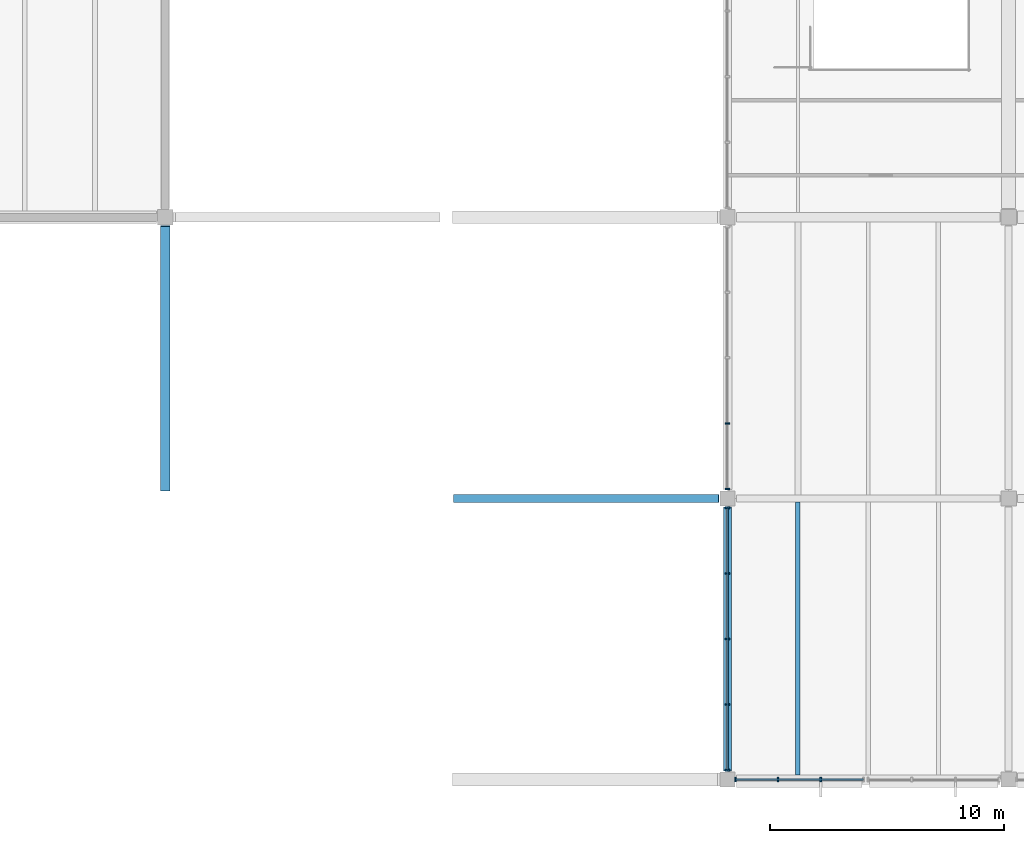
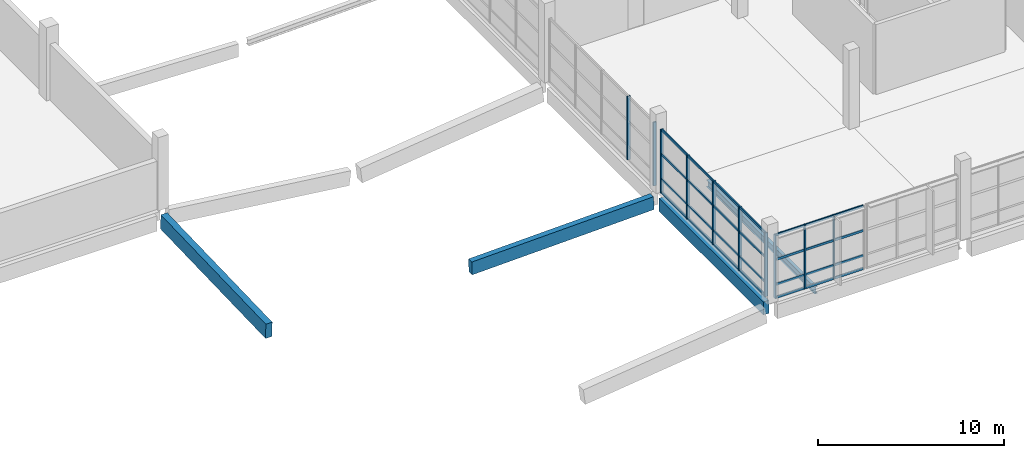
# One storey, part 17 of 112: 18 members, 4 beams, 3 elements without a shape of their own.
"""IFC4 building model written with IfcOpenShell, lengths in metres."""

from ifc_helpers import new_model, si_unit, direction, frame, origin, origin_2d, place, context, subcontext, project, spatial, rectangle, i_section, extrude, material, material_profile, profile_set, type_object, element, aggregate, save


model = new_model("IFC4")

# Units and contexts
model_context = context("Model", 3, precision=1e-05, world=origin(), true_north=direction((0.0, 1.0)))
body_context = subcontext(model_context, "Body", "Model", "MODEL_VIEW")
ifc_project = project(units=[si_unit("LENGTHUNIT", "METRE"), si_unit("AREAUNIT", "SQUARE_METRE"), si_unit("VOLUMEUNIT", "CUBIC_METRE"), si_unit("PLANEANGLEUNIT", "RADIAN"), si_unit("MASSUNIT", "GRAM", prefix="KILO")], contexts=[model_context])

# Site, building, storey
site_placement = place(None, origin())
site = spatial("IfcSite", under=ifc_project, at=site_placement, CompositionType="ELEMENT")
building_placement = place(site_placement, origin())
building = spatial("IfcBuilding", under=site, at=building_placement, Name="Kamomehara Wholesale Market", CompositionType="ELEMENT")
storey_placement = place(building_placement, frame((0.0, 0.0, 6.60009765625)))
storey = spatial("IfcBuildingStorey", under=building, at=storey_placement, Name="L01", CompositionType="ELEMENT", Elevation=6.60009765625)

# Beams
ifc_material_1 = material(Name="Precast concrete Fc45 (C40/50)", Category="concrete")
ifc_material_profile_1 = material_profile(ifc_material_1, rectangle(XDim=0.35009765625, YDim=0.85009765625, at=origin_2d()), Name="PC-SPN-350x850")
ifc_profile_set_1 = profile_set([ifc_material_profile_1], Name="Precast concrete Fc45 (C40/50)")
beam_type_1 = type_object("IfcBeamType", Name="BM-SPN850-EXT", PredefinedType="SPANDREL", material=ifc_profile_set_1)
beam_1_placement = place(storey_placement, frame((60.0, 12.375, -0.737060546875), z_axis=(0.0, 1.0, 0.0), x_axis=(-1.0, 0.0, 0.0)))
element("IfcBeam", 1, at=beam_1_placement, inside=storey, type_object=beam_type_1, Name="Beam SPN-02E L01", PredefinedType="SPANDREL", context=body_context, shape_type="SweptSolid", body=[
    extrude(rectangle(XDim=0.35009765625, YDim=0.85009765625, at=origin_2d()), origin(), (0.0, 0.0, 1.0), 11.25),
])
beam_2_placement = place(storey_placement, frame((48.324951171875, 24.0, -1.025146484375), z_axis=(0.999547418505, 0.0, 0.030082522501), x_axis=(0.0, 1.0, 0.0)))
element("IfcBeam", 2, at=beam_2_placement, inside=storey, type_object=beam_type_1, Name="Beam SPN-02E L01", PredefinedType="SPANDREL", context=body_context, shape_type="SweptSolid", body=[
    extrude(rectangle(XDim=0.35009765625, YDim=0.85009765625, at=origin_2d()), origin(), (0.0, 0.0, 1.0), 11.30517578125),
])
ifc_material_2 = material(Name="Precast concrete Fc45 (C40/50)", Category="concrete")
ifc_material_profile_2 = material_profile(ifc_material_2, rectangle(XDim=0.39990234375, YDim=0.949951171875, at=origin_2d()), Name="PC-SPN-400x950")
ifc_profile_set_2 = profile_set([ifc_material_profile_2], Name="Precast concrete Fc45 (C40/50)")
beam_type_2 = type_object("IfcBeamType", Name="BM-SPN950-EXT", PredefinedType="SPANDREL", material=ifc_profile_set_2)
beam_3_placement = place(storey_placement, frame((36.0, 24.324951171875, -1.0751953125), z_axis=(0.0, 0.999547418505, 0.030082522501), x_axis=(-1.0, 0.0, 0.0)))
element("IfcBeam", 3, at=beam_3_placement, inside=storey, type_object=beam_type_2, Name="Beam SPN-01E L01", PredefinedType="SPANDREL", context=body_context, shape_type="SweptSolid", body=[
    extrude(rectangle(XDim=0.39990234375, YDim=0.949951171875, at=origin_2d()), origin(), (0.0, 0.0, 1.0), 11.30517578125),
])
ifc_material_3 = material(Name="Steel SN400B", Category="steel")
ifc_material_profile_3 = material_profile(ifc_material_3, i_section(OverallWidth=0.199951171875, OverallDepth=0.449951171875, WebThickness=0.009033203125, FlangeThickness=0.013916015625, FilletRadius=0.012939453125, at=origin_2d()), Name="H-450x200x9x14")
ifc_profile_set_3 = profile_set([ifc_material_profile_3], Name="Steel SN400B")
beam_type_3 = type_object("IfcBeamType", Name="BM-ST-H450", PredefinedType="JOIST", material=ifc_profile_set_3)
beam_4_placement = place(storey_placement, frame((63.0, 12.199951171875, -0.537109375), z_axis=(0.0, 1.0, 0.0), x_axis=(-1.0, 0.0, 0.0)))
element("IfcBeam", 4, at=beam_4_placement, inside=storey, type_object=beam_type_3, Name="Beam SJ-01 L01", PredefinedType="JOIST", context=body_context, shape_type="SweptSolid", body=[
    extrude(i_section(OverallWidth=0.199951171875, OverallDepth=0.449951171875, WebThickness=0.009033203125, FlangeThickness=0.013916015625, FilletRadius=0.012939453125, at=origin_2d()), origin(), (0.0, 0.0, 1.0), 11.650146484375),
])

# Curtain wall, members
ifc_material_4 = material(Name="Anodised aluminium 6063-T5", Category="aluminium")
curtain_wall_type_1 = type_object("IfcCurtainWallType", Name="CW-UN-01", PredefinedType="NOTDEFINED", material=ifc_material_4)
curtain_wall_1_placement = place(storey_placement, origin())
curtain_wall_1 = element("IfcCurtainWall", 5, at=curtain_wall_1_placement, inside=storey, type_object=curtain_wall_type_1, Name="Unitised curtain wall CW-122", PredefinedType="NOTDEFINED")
ifc_material_5 = material(Name="Anodised aluminium 6063-T5", Category="aluminium")
ifc_material_profile_4 = material_profile(ifc_material_5, rectangle(XDim=0.074951171875, YDim=0.179931640625, at=origin_2d()), Name="ALU-MUL-75x180")
ifc_profile_set_4 = profile_set([ifc_material_profile_4], Name="Anodised aluminium 6063-T5")
member_type_1 = type_object("IfcMemberType", Name="CW-MUL-180", PredefinedType="MULLION", material=ifc_profile_set_4)
member_1_placement = place(storey_placement, frame((63.97802734375, 12.0, 0.0), z_axis=(0.0, 0.0, 1.0), x_axis=(-1.0, 0.0, 0.0)))
member_1 = element("IfcMember", 6, at=member_1_placement, type_object=member_type_1, Name="Mullion CW-122.1", PredefinedType="MULLION", context=body_context, shape_type="SweptSolid", body=[
    extrude(rectangle(XDim=0.074951171875, YDim=0.179931640625, at=origin_2d()), origin(), (0.0, 0.0, 1.0), 4.179931640625),
])
member_2_placement = place(storey_placement, frame((62.156982421875, 12.0, 0.0), z_axis=(0.0, 0.0, 1.0), x_axis=(-1.0, 0.0, 0.0)))
member_2 = element("IfcMember", 7, at=member_2_placement, type_object=member_type_1, Name="Mullion CW-122.2", PredefinedType="MULLION", context=body_context, shape_type="SweptSolid", body=[
    extrude(rectangle(XDim=0.074951171875, YDim=0.179931640625, at=origin_2d()), origin(), (0.0, 0.0, 1.0), 4.179931640625),
])
member_3_placement = place(storey_placement, frame((60.3349609375, 12.0, 0.0), z_axis=(0.0, 0.0, 1.0), x_axis=(-1.0, 0.0, 0.0)))
member_3 = element("IfcMember", 8, at=member_3_placement, type_object=member_type_1, Name="Mullion CW-122.3", PredefinedType="MULLION", context=body_context, shape_type="SweptSolid", body=[
    extrude(rectangle(XDim=0.074951171875, YDim=0.179931640625, at=origin_2d()), origin(), (0.0, 0.0, 1.0), 4.179931640625),
])

ifc_material_6 = material(Name="Anodised aluminium 6063-T5", Category="aluminium")
curtain_wall_type_2 = type_object("IfcCurtainWallType", Name="CW-UN-06", PredefinedType="NOTDEFINED", material=ifc_material_6)
curtain_wall_2_placement = place(storey_placement, origin())
curtain_wall_2 = element("IfcCurtainWall", 9, at=curtain_wall_2_placement, inside=storey, type_object=curtain_wall_type_2, Name="Unitised curtain wall CW-129", PredefinedType="NOTDEFINED")
member_4_placement = place(storey_placement, frame((60.0, 12.39990234375, 0.0), z_axis=(0.0, 0.0, 1.0), x_axis=(0.0, 1.0, 0.0)))
member_4 = element("IfcMember", 10, at=member_4_placement, type_object=member_type_1, Name="Mullion CW-129.0", PredefinedType="MULLION", context=body_context, shape_type="SweptSolid", body=[
    extrude(rectangle(XDim=0.074951171875, YDim=0.179931640625, at=origin_2d()), origin(), (0.0, 0.0, 1.0), 4.179931640625),
])
member_5_placement = place(storey_placement, frame((60.0, 15.199951171875, 0.0), z_axis=(0.0, 0.0, 1.0), x_axis=(0.0, 1.0, 0.0)))
member_5 = element("IfcMember", 11, at=member_5_placement, type_object=member_type_1, Name="Mullion CW-129.1", PredefinedType="MULLION", context=body_context, shape_type="SweptSolid", body=[
    extrude(rectangle(XDim=0.074951171875, YDim=0.179931640625, at=origin_2d()), origin(), (0.0, 0.0, 1.0), 4.179931640625),
])
member_6_placement = place(storey_placement, frame((60.0, 18.0, 0.0), z_axis=(0.0, 0.0, 1.0), x_axis=(0.0, 1.0, 0.0)))
member_6 = element("IfcMember", 12, at=member_6_placement, type_object=member_type_1, Name="Mullion CW-129.2", PredefinedType="MULLION", context=body_context, shape_type="SweptSolid", body=[
    extrude(rectangle(XDim=0.074951171875, YDim=0.179931640625, at=origin_2d()), origin(), (0.0, 0.0, 1.0), 4.179931640625),
])
member_7_placement = place(storey_placement, frame((60.0, 20.800048828125, 0.0), z_axis=(0.0, 0.0, 1.0), x_axis=(0.0, 1.0, 0.0)))
member_7 = element("IfcMember", 13, at=member_7_placement, type_object=member_type_1, Name="Mullion CW-129.3", PredefinedType="MULLION", context=body_context, shape_type="SweptSolid", body=[
    extrude(rectangle(XDim=0.074951171875, YDim=0.179931640625, at=origin_2d()), origin(), (0.0, 0.0, 1.0), 4.179931640625),
])
member_8_placement = place(storey_placement, frame((60.0, 23.60009765625, 0.0), z_axis=(0.0, 0.0, 1.0), x_axis=(0.0, 1.0, 0.0)))
member_8 = element("IfcMember", 14, at=member_8_placement, type_object=member_type_1, Name="Mullion CW-129.4", PredefinedType="MULLION", context=body_context, shape_type="SweptSolid", body=[
    extrude(rectangle(XDim=0.074951171875, YDim=0.179931640625, at=origin_2d()), origin(), (0.0, 0.0, 1.0), 4.179931640625),
])

curtain_wall_3_placement = place(storey_placement, origin())
curtain_wall_3 = element("IfcCurtainWall", 15, at=curtain_wall_3_placement, inside=storey, type_object=curtain_wall_type_2, Name="Unitised curtain wall CW-130", PredefinedType="NOTDEFINED")
member_9_placement = place(storey_placement, frame((60.0, 24.39990234375, 0.0), z_axis=(0.0, 0.0, 1.0), x_axis=(0.0, 1.0, 0.0)))
member_9 = element("IfcMember", 16, at=member_9_placement, type_object=member_type_1, Name="Mullion CW-130.0", PredefinedType="MULLION", context=body_context, shape_type="SweptSolid", body=[
    extrude(rectangle(XDim=0.074951171875, YDim=0.179931640625, at=origin_2d()), origin(), (0.0, 0.0, 1.0), 4.179931640625),
])
member_10_placement = place(storey_placement, frame((60.0, 27.199951171875, 0.0), z_axis=(0.0, 0.0, 1.0), x_axis=(0.0, 1.0, 0.0)))
member_10 = element("IfcMember", 17, at=member_10_placement, type_object=member_type_1, Name="Mullion CW-130.1", PredefinedType="MULLION", context=body_context, shape_type="SweptSolid", body=[
    extrude(rectangle(XDim=0.074951171875, YDim=0.179931640625, at=origin_2d()), origin(), (0.0, 0.0, 1.0), 4.179931640625),
])
aggregate(curtain_wall_3, [member_9, member_10])

# Member
ifc_material_7 = material(Name="Anodised aluminium 6063-T5", Category="aluminium")
ifc_material_profile_5 = material_profile(ifc_material_7, rectangle(XDim=0.074951171875, YDim=0.14990234375, at=origin_2d()), Name="ALU-TRN-75x150")
ifc_profile_set_5 = profile_set([ifc_material_profile_5], Name="Anodised aluminium 6063-T5")
member_type_2 = type_object("IfcMemberType", Name="CW-TRN-150", PredefinedType="USERDEFINED", material=ifc_profile_set_5)
member_11_placement = place(storey_placement, frame((65.800048828125, 12.0, 0.039794921875), z_axis=(-1.0, 0.0, 0.0), x_axis=(0.0, -1.0, 0.0)))
member_11 = element("IfcMember", 18, at=member_11_placement, type_object=member_type_2, Name="Transom CW-122.0", ObjectType="TRANSOM", PredefinedType="USERDEFINED", context=body_context, shape_type="SweptSolid", body=[
    extrude(rectangle(XDim=0.074951171875, YDim=0.14990234375, at=origin_2d()), origin(), (0.0, 0.0, 1.0), 5.465087890625),
])

member_12_placement = place(storey_placement, frame((65.800048828125, 12.0, 0.89990234375), z_axis=(-1.0, 0.0, 0.0), x_axis=(0.0, -1.0, 0.0)))
member_12 = element("IfcMember", 19, at=member_12_placement, type_object=member_type_2, Name="Transom CW-122.1", ObjectType="TRANSOM", PredefinedType="USERDEFINED", context=body_context, shape_type="SweptSolid", body=[
    extrude(rectangle(XDim=0.074951171875, YDim=0.14990234375, at=origin_2d()), origin(), (0.0, 0.0, 1.0), 5.465087890625),
])

member_13_placement = place(storey_placement, frame((65.800048828125, 12.0, 2.539794921875), z_axis=(-1.0, 0.0, 0.0), x_axis=(0.0, -1.0, 0.0)))
member_13 = element("IfcMember", 20, at=member_13_placement, type_object=member_type_2, Name="Transom CW-122.2", ObjectType="TRANSOM", PredefinedType="USERDEFINED", context=body_context, shape_type="SweptSolid", body=[
    extrude(rectangle(XDim=0.074951171875, YDim=0.14990234375, at=origin_2d()), origin(), (0.0, 0.0, 1.0), 5.465087890625),
])

member_14_placement = place(storey_placement, frame((65.800048828125, 12.0, 4.139892578125), z_axis=(-1.0, 0.0, 0.0), x_axis=(0.0, -1.0, 0.0)))
member_14 = element("IfcMember", 21, at=member_14_placement, type_object=member_type_2, Name="Transom CW-122.3", ObjectType="TRANSOM", PredefinedType="USERDEFINED", context=body_context, shape_type="SweptSolid", body=[
    extrude(rectangle(XDim=0.074951171875, YDim=0.14990234375, at=origin_2d()), origin(), (0.0, 0.0, 1.0), 5.465087890625),
])

aggregate(curtain_wall_1, [member_1, member_2, member_3, member_11, member_12, member_13, member_14])

member_15_placement = place(storey_placement, frame((60.0, 12.39990234375, 0.039794921875), z_axis=(0.0, 1.0, 0.0), x_axis=(-1.0, 0.0, 0.0)))
member_15 = element("IfcMember", 22, at=member_15_placement, type_object=member_type_2, Name="Transom CW-129.0", ObjectType="TRANSOM", PredefinedType="USERDEFINED", context=body_context, shape_type="SweptSolid", body=[
    extrude(rectangle(XDim=0.074951171875, YDim=0.14990234375, at=origin_2d()), origin(), (0.0, 0.0, 1.0), 11.2001953125),
])

member_16_placement = place(storey_placement, frame((60.0, 12.39990234375, 0.89990234375), z_axis=(0.0, 1.0, 0.0), x_axis=(-1.0, 0.0, 0.0)))
member_16 = element("IfcMember", 23, at=member_16_placement, type_object=member_type_2, Name="Transom CW-129.1", ObjectType="TRANSOM", PredefinedType="USERDEFINED", context=body_context, shape_type="SweptSolid", body=[
    extrude(rectangle(XDim=0.074951171875, YDim=0.14990234375, at=origin_2d()), origin(), (0.0, 0.0, 1.0), 11.2001953125),
])

member_17_placement = place(storey_placement, frame((60.0, 12.39990234375, 2.539794921875), z_axis=(0.0, 1.0, 0.0), x_axis=(-1.0, 0.0, 0.0)))
member_17 = element("IfcMember", 24, at=member_17_placement, type_object=member_type_2, Name="Transom CW-129.2", ObjectType="TRANSOM", PredefinedType="USERDEFINED", context=body_context, shape_type="SweptSolid", body=[
    extrude(rectangle(XDim=0.074951171875, YDim=0.14990234375, at=origin_2d()), origin(), (0.0, 0.0, 1.0), 11.2001953125),
])

member_18_placement = place(storey_placement, frame((60.0, 12.39990234375, 4.139892578125), z_axis=(0.0, 1.0, 0.0), x_axis=(-1.0, 0.0, 0.0)))
member_18 = element("IfcMember", 25, at=member_18_placement, type_object=member_type_2, Name="Transom CW-129.3", ObjectType="TRANSOM", PredefinedType="USERDEFINED", context=body_context, shape_type="SweptSolid", body=[
    extrude(rectangle(XDim=0.074951171875, YDim=0.14990234375, at=origin_2d()), origin(), (0.0, 0.0, 1.0), 11.2001953125),
])

aggregate(curtain_wall_2, [member_4, member_5, member_6, member_7, member_8, member_15, member_16, member_17, member_18])

save(model, "model.ifc")
